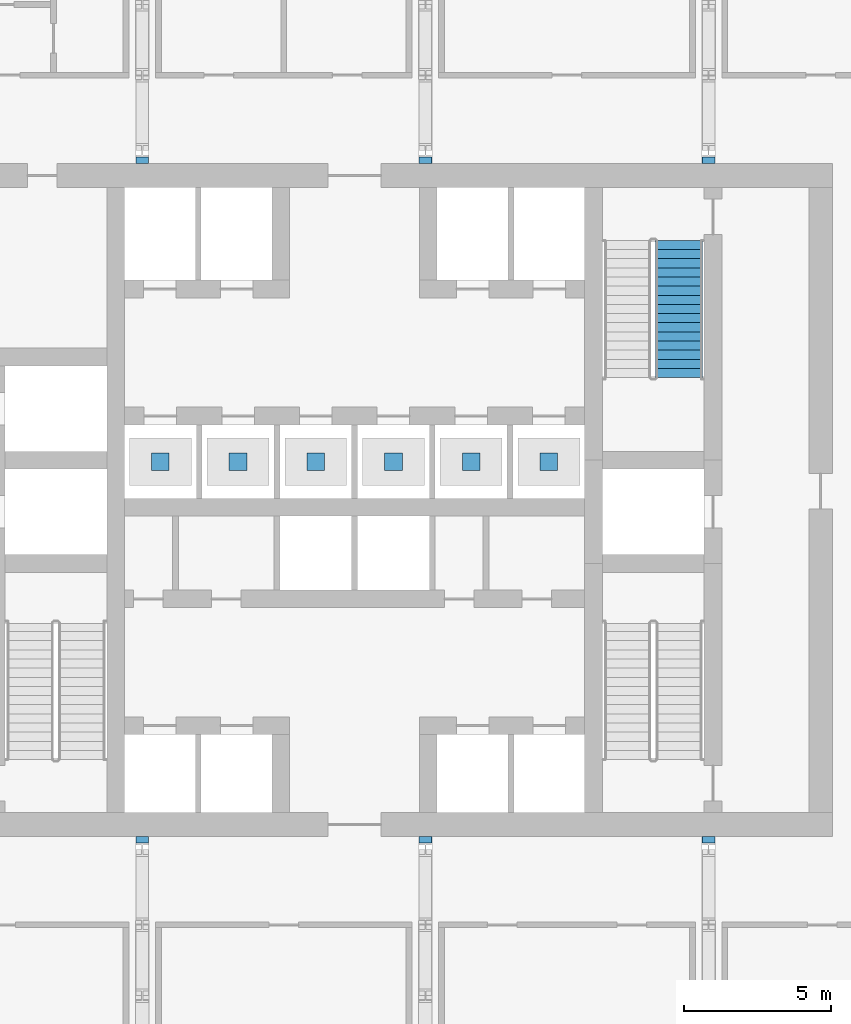
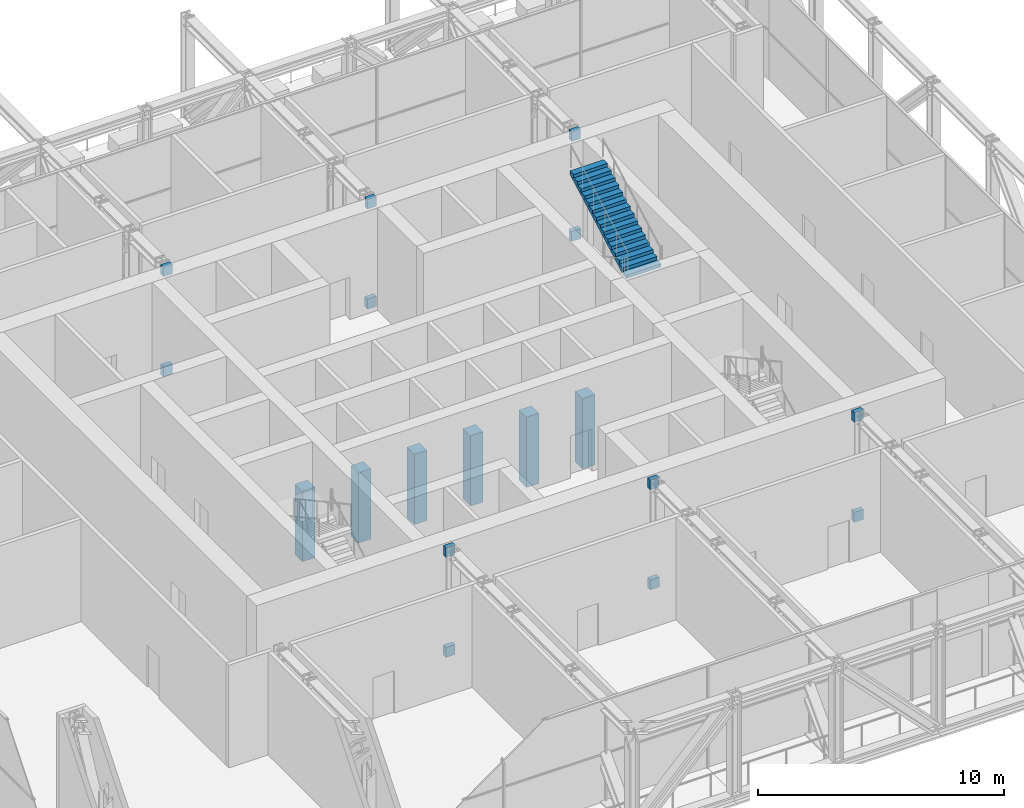
# One storey, part 20 of 27: 18 discrete accessories, 1 stair flight, 1 element without a shape of its own.
"""IFC4 building model written with IfcOpenShell, lengths in metres."""

import ifcopenshell
import ifcopenshell.guid

model = None  # the IFC model being written
_history = None  # IfcOwnerHistory: only IFC2X3 demands one
_inside = {}  # id of a spatial element -> (the spatial element, [elements in it])
_under = {}  # id of a project, library or spatial element -> (it, [spatial elements below it])
_declared = {}  # id of a project -> (the project, [libraries it declares])
_typed = {}  # id of a type object -> (the type object, [elements of that type])
_made_of = {}  # id of a material, layer set ... -> (it, [elements and type objects made of it])


def new_model(schema):
    """Start an empty IFC model of exactly this schema.

    Asked for "IFC4X3", IfcOpenShell would pick the latest addendum, in which some entities
    have other attributes; the version numbers below select the first issue.
    IFC2X3 requires an IfcOwnerHistory on every rooted entity: one is made here for all.
    """
    global model, _history
    if schema == "IFC4X3":
        model = ifcopenshell.file(schema_version=(4, 3, 0, 0))
    else:
        model = ifcopenshell.file(schema=schema)
    _inside.clear()
    _under.clear()
    _declared.clear()
    _typed.clear()
    _made_of.clear()
    _history = None
    if model.schema == "IFC2X3":
        org = make("IfcOrganization", Name="unknown")
        user = make(
            "IfcPersonAndOrganization",
            ThePerson=make("IfcPerson", FamilyName="unknown"),
            TheOrganization=org,
        )
        app = make(
            "IfcApplication",
            ApplicationDeveloper=org,
            Version="unknown",
            ApplicationFullName="unknown",
            ApplicationIdentifier="unknown",
        )
        _history = make(
            "IfcOwnerHistory",
            OwningUser=user,
            OwningApplication=app,
            ChangeAction="ADDED",
            CreationDate=0,
        )
    return model


def make(cls, **values):
    """One entity of the class cls with the attributes given. An attribute that is None is left unset."""
    return model.create_entity(
        cls, **{name: value for name, value in values.items() if value is not None}
    )


def rooted(cls, **values):
    """An entity with a GlobalId (a new one), such as an element, a storey or a relation."""
    return make(cls, GlobalId=ifcopenshell.guid.new(), OwnerHistory=_history, **values)


def si_unit(unit_type, name, prefix=None):
    """IfcSIUnit, for example si_unit("LENGTHUNIT", "METRE", prefix="MILLI")."""
    return make("IfcSIUnit", UnitType=unit_type, Prefix=prefix, Name=name)


def assignment(units):
    """IfcUnitAssignment: the units of a project."""
    return None if units is None else make("IfcUnitAssignment", Units=units)


def point(xyz):
    """IfcCartesianPoint."""
    return None if xyz is None else make("IfcCartesianPoint", Coordinates=xyz)


def direction(xyz):
    """IfcDirection."""
    return None if xyz is None else make("IfcDirection", DirectionRatios=xyz)


def frame(location, z_axis=None, x_axis=None):
    """IfcAxis2Placement3D, a coordinate frame: its origin and axes. An axis left out is left unset."""
    return make(
        "IfcAxis2Placement3D",
        Location=point(location),
        Axis=direction(z_axis),
        RefDirection=direction(x_axis),
    )


def frame_2d(location, x_axis=None):
    """IfcAxis2Placement2D, a coordinate frame in the plane: its origin and x axis."""
    return make(
        "IfcAxis2Placement2D", Location=point(location), RefDirection=direction(x_axis)
    )


def origin():
    """The frame at (0, 0, 0) with its axes left unset."""
    return frame((0.0, 0.0, 0.0))


def origin_2d():
    """The frame at (0, 0) in the plane with its x axis left unset."""
    return frame_2d((0.0, 0.0))


def place(relative_to, where):
    """IfcLocalPlacement: puts the frame where relative to a parent placement (None: the world)."""
    return make(
        "IfcLocalPlacement", PlacementRelTo=relative_to, RelativePlacement=where
    )


def context(
    kind, dimensions, precision=None, world=None, true_north=None, identifier=None
):
    """IfcGeometricRepresentationContext, for example the 3D "Model" context."""
    return make(
        "IfcGeometricRepresentationContext",
        ContextIdentifier=identifier,
        ContextType=kind,
        CoordinateSpaceDimension=dimensions,
        Precision=precision,
        WorldCoordinateSystem=world,
        TrueNorth=true_north,
    )


def subcontext(parent, identifier, kind, view, scale=None):
    """IfcGeometricRepresentationSubContext, for example "Body" below "Model"."""
    return make(
        "IfcGeometricRepresentationSubContext",
        ContextIdentifier=identifier,
        ContextType=kind,
        ParentContext=parent,
        TargetScale=scale,
        TargetView=view,
    )


def project(units=None, contexts=None):
    """IfcProject with its units and contexts."""
    return rooted(
        "IfcProject",
        Name="project",
        RepresentationContexts=contexts,
        UnitsInContext=assignment(units),
    )


def spatial(cls, under=None, at=None, **own):
    """A site, building, storey or space (cls), placed at a placement, below another one or the project."""
    s = rooted(cls, ObjectPlacement=at, **own)
    if under is not None:
        _under.setdefault(under.id(), (under, []))[1].append(s)
    return s


def polyline(points):
    """IfcPolyline through the points."""
    return make("IfcPolyline", Points=[point(p) for p in points])


def profile(cls, at=None, kind="AREA", **sizes):
    """A parametric profile (cls). Its sizes go by their IFC names, for example OverallWidth=200.0."""
    return make(cls, ProfileType=kind, Position=at, **sizes)


def rectangle(**sizes):
    """IfcRectangleProfileDef."""
    return profile("IfcRectangleProfileDef", **sizes)


def outline(outer, holes=None, kind="AREA"):
    """IfcArbitraryClosedProfileDef: a profile drawn as a closed curve; with holes, ...WithVoids."""
    if holes is None:
        return make("IfcArbitraryClosedProfileDef", ProfileType=kind, OuterCurve=outer)
    return make(
        "IfcArbitraryProfileDefWithVoids",
        ProfileType=kind,
        OuterCurve=outer,
        InnerCurves=holes,
    )


def extrude(swept, where, along, depth):
    """IfcExtrudedAreaSolid: the profile swept, set in the frame where, extruded along a direction by depth."""
    return make(
        "IfcExtrudedAreaSolid",
        SweptArea=swept,
        Position=where,
        ExtrudedDirection=direction(along),
        Depth=depth,
    )


def shape(context_of_items, identifier, shape_type, items):
    """IfcShapeRepresentation: the items that make up one representation, for example the "Body"."""
    return make(
        "IfcShapeRepresentation",
        ContextOfItems=context_of_items,
        RepresentationIdentifier=identifier,
        RepresentationType=shape_type,
        Items=items,
    )


def material(Name=None, Category=None):
    """IfcMaterial."""
    return make("IfcMaterial", Name=Name, Category=Category)


def made_of(thing, what):
    """Note that an element or type object is made of a material, layer set ...; save() writes the relation."""
    if what is not None:
        _made_of.setdefault(what.id(), (what, []))[1].append(thing)
    return thing


def type_object(cls, material=None, **own):
    """A type object (cls), such as IfcWallType, which elements share."""
    return made_of(rooted(cls, **own), material)


def element(
    cls,
    number,
    at=None,
    inside=None,
    cuts=None,
    type_object=None,
    material=None,
    context=None,
    identifier="Body",
    shape_type=None,
    held_by="IfcProductDefinitionShape",
    body=None,
    shapes=None,
    **own,
):
    """One element of the class cls, such as IfcWall. Its Tag is "e" and its number.

    at: its placement. inside: the storey or other place that contains it. cuts: it is an
    opening in that element (IfcRelVoidsElement). A single representation is given by context,
    identifier, shape_type and body (its items); several are given by shapes. held_by: the class
    of the entity that holds the representations. save() writes the other relations.
    """
    e = rooted(cls, Tag="e%d" % number, ObjectPlacement=at, **own)
    if body is not None:
        shapes = [shape(context, identifier, shape_type, body)]
    if shapes is not None:
        e.Representation = make(held_by, Representations=shapes)
    if inside is not None:
        _inside.setdefault(inside.id(), (inside, []))[1].append(e)
    if cuts is not None:
        rooted(
            "IfcRelVoidsElement", RelatingBuildingElement=cuts, RelatedOpeningElement=e
        )
    if type_object is not None:
        _typed.setdefault(type_object.id(), (type_object, []))[1].append(e)
    return made_of(e, material)


def aggregate(whole, parts):
    """IfcRelAggregates: a whole, such as a stair, and the parts it consists of."""
    return rooted("IfcRelAggregates", RelatingObject=whole, RelatedObjects=parts)


def save(model, path):
    """Write the relations noted so far, then the file.

    IfcRelAggregates (storeys below a building ...), IfcRelContainedInSpatialStructure (elements
    in a storey), IfcRelDefinesByType, IfcRelAssociatesMaterial and IfcRelDeclares: one each for
    every whole, place, type object, material and project.
    """
    for whole, parts in _under.values():
        aggregate(whole, parts)
    for where, things in _inside.values():
        rooted(
            "IfcRelContainedInSpatialStructure",
            RelatedElements=things,
            RelatingStructure=where,
        )
    for kind, things in _typed.values():
        rooted("IfcRelDefinesByType", RelatedObjects=things, RelatingType=kind)
    for what, things in _made_of.values():
        rooted("IfcRelAssociatesMaterial", RelatedObjects=things, RelatingMaterial=what)
    for by, libraries in _declared.values():
        rooted("IfcRelDeclares", RelatingContext=by, RelatedDefinitions=libraries)
    model.write(path)


model = new_model("IFC4")

# Units and contexts
model_context = context("Model", 3, precision=1e-05, world=origin(), true_north=direction((0.0, 1.0)))
body_context = subcontext(model_context, "Body", "Model", "MODEL_VIEW")
ifc_project = project(units=[si_unit("LENGTHUNIT", "METRE"), si_unit("AREAUNIT", "SQUARE_METRE"), si_unit("VOLUMEUNIT", "CUBIC_METRE"), si_unit("PLANEANGLEUNIT", "RADIAN"), si_unit("MASSUNIT", "GRAM", prefix="KILO")], contexts=[model_context])

# Site, building, storey
site_placement = place(None, origin())
site = spatial("IfcSite", under=ifc_project, at=site_placement, CompositionType="ELEMENT")
building_placement = place(site_placement, origin())
building = spatial("IfcBuilding", under=site, at=building_placement, Name="Madar Terraces", CompositionType="ELEMENT")
storey_placement = place(building_placement, frame((0.0, 0.0, 143.60009765625)))
storey = spatial("IfcBuildingStorey", under=building, at=storey_placement, Name="L37", CompositionType="ELEMENT", Elevation=143.60009765625)

# Stair, stair flight
ifc_material_1 = material(Name="Concrete C50/60", Category="concrete")
stair_type = type_object("IfcStairType", Name="Stair ST2 protected exit", PredefinedType="HALF_TURN_STAIR", material=ifc_material_1)
stair_placement = place(storey_placement, origin())
stair = element("IfcStair", 1, at=stair_placement, inside=storey, type_object=stair_type, Name="L37 Protected Exit Stair ST2", PredefinedType="HALF_TURN_STAIR")
ifc_material_2 = material(Name="Concrete C50/60", Category="concrete")
stair_flight_type = type_object("IfcStairFlightType", Name="Stair flight ST2-F3, 1600 wide, 16 risers", PredefinedType="STRAIGHT", material=ifc_material_2)
stair_flight_placement = place(storey_placement, frame((42.199951171875, 30.550048828125, 2.699951171875), z_axis=(0.0, 0.0, 1.0), x_axis=(0.0, 1.0, 0.0)))
stair_flight = element("IfcStairFlight", 2, at=stair_flight_placement, type_object=stair_flight_type, Name="ST2 flight 2", NumberOfRisers=16, NumberOfTreads=15, PredefinedType="STRAIGHT", RiserHeight=0.16875, TreadLength=0.31, context=body_context, shape_type="SweptSolid", body=[
    extrude(outline(polyline([(0.0, 0.0), (0.0, 0.168701171875), (0.31005859375, 0.168701171875), (0.31005859375, 0.33740234375), (0.6201171875, 0.33740234375), (0.6201171875, 0.50634765625), (0.929931640625, 0.50634765625), (0.929931640625, 0.675048828125), (1.239990234375, 0.675048828125), (1.239990234375, 0.84375), (1.550048828125, 0.84375), (1.550048828125, 1.012451171875), (1.860107421875, 1.012451171875), (1.860107421875, 1.18115234375), (2.169921875, 1.18115234375), (2.169921875, 1.35009765625), (2.47998046875, 1.35009765625), (2.47998046875, 1.518798828125), (2.7900390625, 1.518798828125), (2.7900390625, 1.6875), (3.10009765625, 1.6875), (3.10009765625, 1.856201171875), (3.409912109375, 1.856201171875), (3.409912109375, 2.02490234375), (3.719970703125, 2.02490234375), (3.719970703125, 2.19384765625), (4.030029296875, 2.19384765625), (4.030029296875, 2.362548828125), (4.340087890625, 2.362548828125), (4.340087890625, 2.53125), (4.64990234375, 2.53125), (4.64990234375, 2.699951171875), (4.64990234375, 2.360595703125), (0.3134765625, 0.0), (0.0, 0.0)])), frame((0.0, 0.800048828125, 0.0), z_axis=(0.0, -1.0, 0.0), x_axis=(1.0, 0.0, 0.0)), (0.0, 0.0, 1.0), 1.60009765625),
])
aggregate(stair, [stair_flight])

# Discrete accessories
ifc_material_3 = material(Name="Steel, galvanised", Category="steel")
discrete_accessory_type_1 = type_object("IfcDiscreteAccessoryType", Name="Lift car buffer support", PredefinedType="BRACKET", material=ifc_material_3)
for number, where, z_axis, x_axis, name in (
    (3, (24.61669921875, 27.699951171875, -3.5), (0.0, 0.0, 1.0), (1.0, 0.0, 0.0), "LIFT HR1 BUFFER"),
    (4, (27.25, 27.699951171875, -3.5), (0.0, 0.0, 1.0), (1.0, 0.0, 0.0), "LIFT HR2 BUFFER"),
    (5, (29.88330078125, 27.699951171875, -3.5), (0.0, 0.0, 1.0), (1.0, 0.0, 0.0), "LIFT HR3 BUFFER"),
    (6, (32.5166015625, 27.699951171875, -3.5), (0.0, 0.0, 1.0), (1.0, 0.0, 0.0), "LIFT HR4 BUFFER"),
    (7, (35.14990234375, 27.699951171875, -3.5), (0.0, 0.0, 1.0), (1.0, 0.0, 0.0), "LIFT HR5 BUFFER"),
    (8, (37.783447265625, 27.699951171875, -3.5), (0.0, 0.0, 1.0), (1.0, 0.0, 0.0), "LIFT HR6 BUFFER"),
):
    element("IfcDiscreteAccessory", number, at=place(storey_placement, frame(where, z_axis=z_axis, x_axis=x_axis)), inside=storey, type_object=discrete_accessory_type_1, Name=name, PredefinedType="BRACKET", context=body_context, shape_type="SweptSolid", body=[
        extrude(rectangle(XDim=0.60009765625, YDim=0.60009765625, at=origin_2d()), origin(), (0.0, 0.0, 1.0), 3.5),
    ])
ifc_material_4 = material(Name="Steel, galvanised", Category="steel")
discrete_accessory_type_2 = type_object("IfcDiscreteAccessoryType", Name="Truss bearing plate", PredefinedType="BRACKET", material=ifc_material_4)
discrete_accessory_1_placement = place(storey_placement, frame((24.0, 14.888671875, -0.419921875), z_axis=(0.0, 0.0, 1.0), x_axis=(1.0, 0.0, 0.0)))
element("IfcDiscreteAccessory", 9, at=discrete_accessory_1_placement, inside=storey, type_object=discrete_accessory_type_2, Name="Truss bearing plate bottom", PredefinedType="BRACKET", context=body_context, shape_type="SweptSolid", body=[
    extrude(rectangle(XDim=0.431884765625, YDim=0.22265625, at=origin_2d()), origin(), (0.0, 0.0, 1.0), 0.497802734375),
])
discrete_accessory_2_placement = place(storey_placement, frame((24.0, 14.888671875, 4.554931640625), z_axis=(0.0, 0.0, 1.0), x_axis=(1.0, 0.0, 0.0)))
element("IfcDiscreteAccessory", 10, at=discrete_accessory_2_placement, inside=storey, type_object=discrete_accessory_type_2, Name="Truss bearing plate top", PredefinedType="BRACKET", context=body_context, shape_type="SweptSolid", body=[
    extrude(rectangle(XDim=0.424072265625, YDim=0.22265625, at=origin_2d()), origin(), (0.0, 0.0, 1.0), 0.47509765625),
])
discrete_accessory_3_placement = place(storey_placement, frame((33.60009765625, 14.888671875, -0.419921875), z_axis=(0.0, 0.0, 1.0), x_axis=(1.0, 0.0, 0.0)))
element("IfcDiscreteAccessory", 11, at=discrete_accessory_3_placement, inside=storey, type_object=discrete_accessory_type_2, Name="Truss bearing plate bottom", PredefinedType="BRACKET", context=body_context, shape_type="SweptSolid", body=[
    extrude(rectangle(XDim=0.431884765625, YDim=0.22265625, at=origin_2d()), origin(), (0.0, 0.0, 1.0), 0.497802734375),
])
discrete_accessory_4_placement = place(storey_placement, frame((33.60009765625, 14.888671875, 4.554931640625), z_axis=(0.0, 0.0, 1.0), x_axis=(1.0, 0.0, 0.0)))
element("IfcDiscreteAccessory", 12, at=discrete_accessory_4_placement, inside=storey, type_object=discrete_accessory_type_2, Name="Truss bearing plate top", PredefinedType="BRACKET", context=body_context, shape_type="SweptSolid", body=[
    extrude(rectangle(XDim=0.424072265625, YDim=0.22265625, at=origin_2d()), origin(), (0.0, 0.0, 1.0), 0.47509765625),
])
discrete_accessory_5_placement = place(storey_placement, frame((43.199951171875, 14.888671875, -0.419921875), z_axis=(0.0, 0.0, 1.0), x_axis=(1.0, 0.0, 0.0)))
element("IfcDiscreteAccessory", 13, at=discrete_accessory_5_placement, inside=storey, type_object=discrete_accessory_type_2, Name="Truss bearing plate bottom", PredefinedType="BRACKET", context=body_context, shape_type="SweptSolid", body=[
    extrude(rectangle(XDim=0.431884765625, YDim=0.22265625, at=origin_2d()), origin(), (0.0, 0.0, 1.0), 0.497802734375),
])
discrete_accessory_6_placement = place(storey_placement, frame((43.199951171875, 14.888671875, 4.554931640625), z_axis=(0.0, 0.0, 1.0), x_axis=(1.0, 0.0, 0.0)))
element("IfcDiscreteAccessory", 14, at=discrete_accessory_6_placement, inside=storey, type_object=discrete_accessory_type_2, Name="Truss bearing plate top", PredefinedType="BRACKET", context=body_context, shape_type="SweptSolid", body=[
    extrude(rectangle(XDim=0.424072265625, YDim=0.22265625, at=origin_2d()), origin(), (0.0, 0.0, 1.0), 0.47509765625),
])
discrete_accessory_7_placement = place(storey_placement, frame((24.0, 37.911376953125, -0.419921875), z_axis=(0.0, 0.0, 1.0), x_axis=(1.0, 0.0, 0.0)))
element("IfcDiscreteAccessory", 15, at=discrete_accessory_7_placement, inside=storey, type_object=discrete_accessory_type_2, Name="Truss bearing plate bottom", PredefinedType="BRACKET", context=body_context, shape_type="SweptSolid", body=[
    extrude(rectangle(XDim=0.431884765625, YDim=0.22265625, at=origin_2d()), origin(), (0.0, 0.0, 1.0), 0.497802734375),
])
discrete_accessory_8_placement = place(storey_placement, frame((24.0, 37.911376953125, 4.554931640625), z_axis=(0.0, 0.0, 1.0), x_axis=(1.0, 0.0, 0.0)))
element("IfcDiscreteAccessory", 16, at=discrete_accessory_8_placement, inside=storey, type_object=discrete_accessory_type_2, Name="Truss bearing plate top", PredefinedType="BRACKET", context=body_context, shape_type="SweptSolid", body=[
    extrude(rectangle(XDim=0.424072265625, YDim=0.22265625, at=origin_2d()), origin(), (0.0, 0.0, 1.0), 0.47509765625),
])
discrete_accessory_9_placement = place(storey_placement, frame((33.60009765625, 37.911376953125, -0.419921875), z_axis=(0.0, 0.0, 1.0), x_axis=(1.0, 0.0, 0.0)))
element("IfcDiscreteAccessory", 17, at=discrete_accessory_9_placement, inside=storey, type_object=discrete_accessory_type_2, Name="Truss bearing plate bottom", PredefinedType="BRACKET", context=body_context, shape_type="SweptSolid", body=[
    extrude(rectangle(XDim=0.431884765625, YDim=0.22265625, at=origin_2d()), origin(), (0.0, 0.0, 1.0), 0.497802734375),
])
discrete_accessory_10_placement = place(storey_placement, frame((33.60009765625, 37.911376953125, 4.554931640625), z_axis=(0.0, 0.0, 1.0), x_axis=(1.0, 0.0, 0.0)))
element("IfcDiscreteAccessory", 18, at=discrete_accessory_10_placement, inside=storey, type_object=discrete_accessory_type_2, Name="Truss bearing plate top", PredefinedType="BRACKET", context=body_context, shape_type="SweptSolid", body=[
    extrude(rectangle(XDim=0.424072265625, YDim=0.22265625, at=origin_2d()), origin(), (0.0, 0.0, 1.0), 0.47509765625),
])
discrete_accessory_11_placement = place(storey_placement, frame((43.199951171875, 37.911376953125, -0.419921875), z_axis=(0.0, 0.0, 1.0), x_axis=(1.0, 0.0, 0.0)))
element("IfcDiscreteAccessory", 19, at=discrete_accessory_11_placement, inside=storey, type_object=discrete_accessory_type_2, Name="Truss bearing plate bottom", PredefinedType="BRACKET", context=body_context, shape_type="SweptSolid", body=[
    extrude(rectangle(XDim=0.431884765625, YDim=0.22265625, at=origin_2d()), origin(), (0.0, 0.0, 1.0), 0.497802734375),
])
discrete_accessory_12_placement = place(storey_placement, frame((43.199951171875, 37.911376953125, 4.554931640625), z_axis=(0.0, 0.0, 1.0), x_axis=(1.0, 0.0, 0.0)))
element("IfcDiscreteAccessory", 20, at=discrete_accessory_12_placement, inside=storey, type_object=discrete_accessory_type_2, Name="Truss bearing plate top", PredefinedType="BRACKET", context=body_context, shape_type="SweptSolid", body=[
    extrude(rectangle(XDim=0.424072265625, YDim=0.22265625, at=origin_2d()), origin(), (0.0, 0.0, 1.0), 0.47509765625),
])

save(model, "model.ifc")
